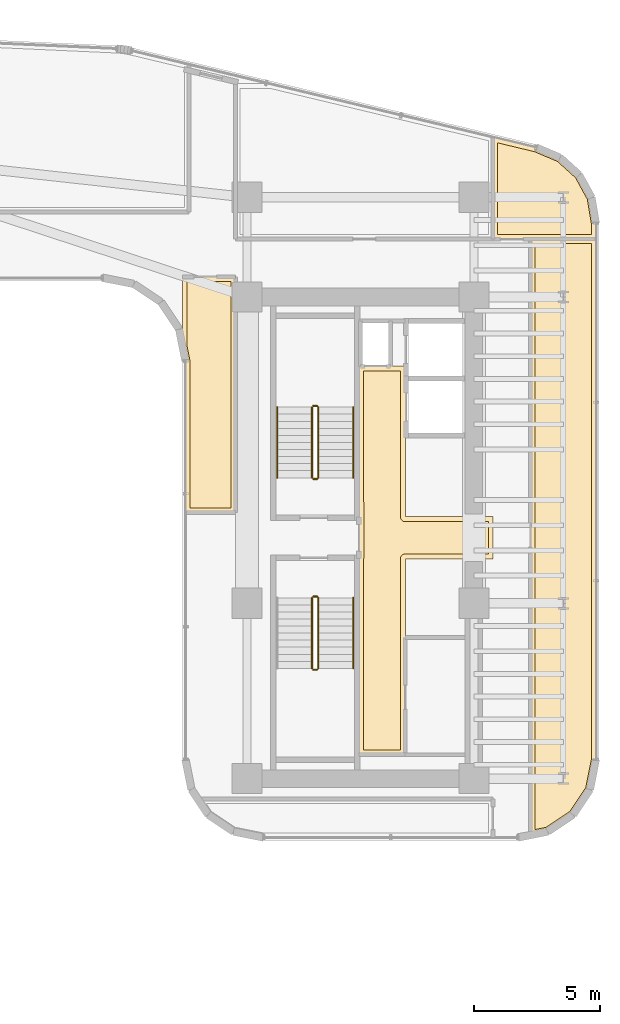
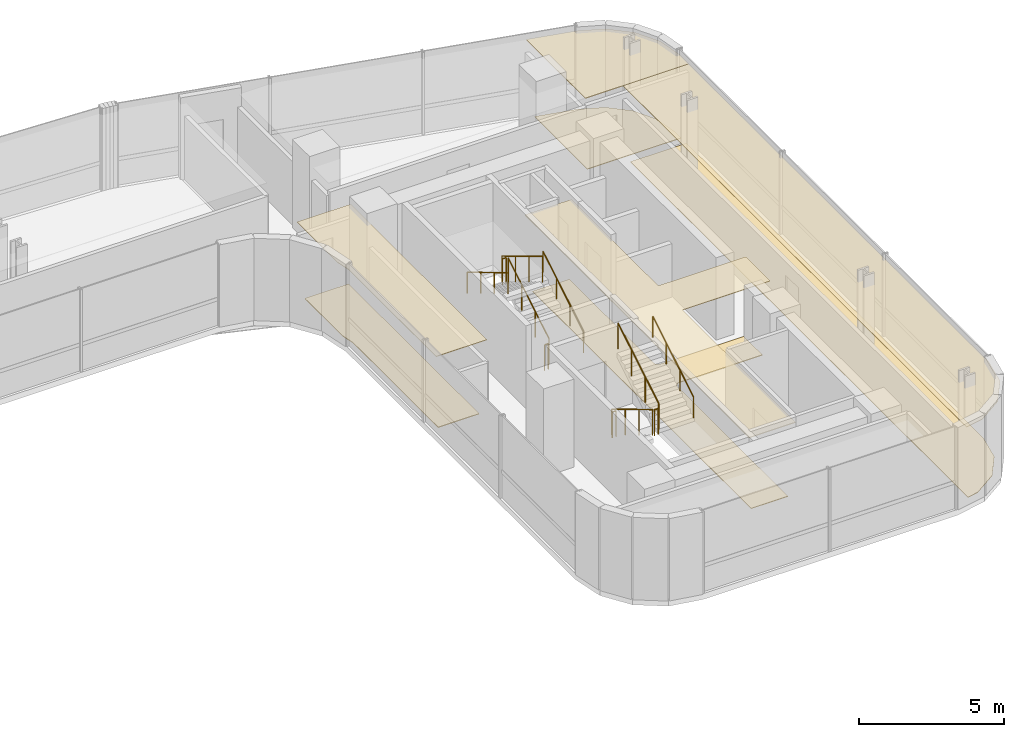
# One storey, part 33 of 34: 11 railings, 8 coverings.
"""IFC4 building model written with IfcOpenShell, lengths in metres."""

from ifc_helpers import new_model, si_unit, direction, frame, origin, origin_2d, place, context, subcontext, project, spatial, polyline, circle, outline, extrude, material, layer, layer_set, type_object, element, save


model = new_model("IFC4")

# Units and contexts
model_context = context("Model", 3, precision=1e-05, world=origin(), true_north=direction((0.0, 1.0)))
body_context = subcontext(model_context, "Body", "Model", "MODEL_VIEW")
ifc_project = project(units=[si_unit("LENGTHUNIT", "METRE"), si_unit("AREAUNIT", "SQUARE_METRE"), si_unit("VOLUMEUNIT", "CUBIC_METRE"), si_unit("PLANEANGLEUNIT", "RADIAN"), si_unit("MASSUNIT", "GRAM", prefix="KILO")], contexts=[model_context])

# Site, building, storey
site_placement = place(None, origin())
site = spatial("IfcSite", under=ifc_project, at=site_placement, CompositionType="ELEMENT")
building_placement = place(site_placement, origin())
building = spatial("IfcBuilding", under=site, at=building_placement, Name="Valdorenza Pilgrim Sanctuary Tower", CompositionType="ELEMENT")
storey_placement = place(building_placement, frame((0.0, 0.0, 120.5)))
storey = spatial("IfcBuildingStorey", under=building, at=storey_placement, Name="L30", CompositionType="ELEMENT", Elevation=120.5)

# Coverings
ifc_material_1 = material(Name="Micro-perforated acoustic mineral ceiling tile", Category="gypsum")
ifc_layer_1 = layer(ifc_material_1, 0.02490234375, Name="Micro-perforated acoustic mineral ceiling tile")
ifc_layer_set_1 = layer_set([ifc_layer_1], Name="Micro-perforated acoustic mineral ceiling tile")
covering_type_1 = type_object("IfcCoveringType", Name="COV-CLG-ACU", PredefinedType="CEILING", material=ifc_layer_set_1)
covering_1_placement = place(storey_placement, frame((0.0, 0.0, 3.159912109375)))
element("IfcCovering", 1, at=covering_1_placement, inside=storey, type_object=covering_type_1, Name="L30 Core B Passenger Lift Lobby Acoustic Ceiling", PredefinedType="CEILING", context=body_context, shape_type="SweptSolid", body=[
    extrude(outline(polyline([(20.287109375, -0.814697265625), (20.287109375, 0.814697265625), (20.28662109375, 0.815185546875), (20.2861328125, 0.81640625), (20.28564453125, 0.81787109375), (20.285400390625, 0.819091796875), (20.28515625, 0.820556640625), (20.284912109375, 0.822021484375), (20.284912109375, 6.800048828125), (20.28515625, 6.801513671875), (20.285400390625, 6.802978515625), (20.28564453125, 6.804443359375), (20.2861328125, 6.8056640625), (20.286865234375, 6.80712890625), (20.28759765625, 6.808349609375), (20.288330078125, 6.8095703125), (20.289306640625, 6.810546875), (20.29052734375, 6.8115234375), (20.291748046875, 6.8125), (20.29296875, 6.813232421875), (20.294189453125, 6.81396484375), (20.295654296875, 6.814453125), (20.297119140625, 6.814697265625), (20.298583984375, 6.81494140625), (20.300048828125, 6.81494140625), (20.347900390625, 6.81494140625), (20.349365234375, 6.81494140625), (20.350830078125, 6.814697265625), (20.352294921875, 6.814453125), (20.353515625, 6.81396484375), (20.35498046875, 6.813232421875), (20.35546875, 6.81298828125), (21.544677734375, 6.81298828125), (21.545166015625, 6.813232421875), (21.54638671875, 6.81396484375), (21.5478515625, 6.814453125), (21.54931640625, 6.814697265625), (21.550537109375, 6.81494140625), (21.552001953125, 6.81494140625), (22.1201171875, 6.81494140625), (22.12158203125, 6.81494140625), (22.122802734375, 6.814697265625), (22.12451171875, 6.814453125), (22.125732421875, 6.81396484375), (22.127197265625, 6.813232421875), (22.12841796875, 6.8125), (22.12939453125, 6.8115234375), (22.130615234375, 6.810546875), (22.131591796875, 6.8095703125), (22.132568359375, 6.808349609375), (22.13330078125, 6.80712890625), (22.1337890625, 6.8056640625), (22.134521484375, 6.804443359375), (22.134765625, 6.802978515625), (22.135009765625, 6.801513671875), (22.135009765625, 6.800048828125), (22.135009765625, 0.8349609375), (25.60009765625, 0.8349609375), (25.6015625, 0.8349609375), (25.602783203125, 0.834716796875), (25.6044921875, 0.83447265625), (25.605712890625, 0.833984375), (25.607177734375, 0.833251953125), (25.6083984375, 0.83251953125), (25.609619140625, 0.83154296875), (25.610595703125, 0.83056640625), (25.611572265625, 0.82958984375), (25.612548828125, 0.828369140625), (25.61328125, 0.8271484375), (25.614013671875, 0.82568359375), (25.614501953125, 0.824462890625), (25.61474609375, 0.822998046875), (25.614990234375, 0.821533203125), (25.614990234375, 0.820068359375), (25.614990234375, -0.820068359375), (25.614990234375, -0.821533203125), (25.61474609375, -0.822998046875), (25.614501953125, -0.824462890625), (25.614013671875, -0.82568359375), (25.61328125, -0.8271484375), (25.612548828125, -0.828369140625), (25.611572265625, -0.82958984375), (25.610595703125, -0.83056640625), (25.609619140625, -0.83154296875), (25.6083984375, -0.83251953125), (25.607177734375, -0.833251953125), (25.605712890625, -0.833984375), (25.6044921875, -0.83447265625), (25.602783203125, -0.834716796875), (25.6015625, -0.8349609375), (25.60009765625, -0.8349609375), (22.135009765625, -0.8349609375), (22.135009765625, -8.60009765625), (22.135009765625, -8.6015625), (22.134765625, -8.602783203125), (22.134521484375, -8.6044921875), (22.1337890625, -8.605712890625), (22.13330078125, -8.607177734375), (22.132568359375, -8.6083984375), (22.131591796875, -8.609619140625), (22.130615234375, -8.610595703125), (22.12939453125, -8.611572265625), (22.12841796875, -8.612548828125), (22.127197265625, -8.61328125), (22.125732421875, -8.614013671875), (22.12451171875, -8.614501953125), (22.122802734375, -8.61474609375), (22.12158203125, -8.614990234375), (22.1201171875, -8.614990234375), (20.300048828125, -8.614990234375), (20.298583984375, -8.614990234375), (20.297119140625, -8.61474609375), (20.295654296875, -8.614501953125), (20.294189453125, -8.614013671875), (20.29296875, -8.61328125), (20.291748046875, -8.612548828125), (20.29052734375, -8.611572265625), (20.289306640625, -8.610595703125), (20.288330078125, -8.609619140625), (20.28759765625, -8.6083984375), (20.286865234375, -8.607177734375), (20.2861328125, -8.605712890625), (20.28564453125, -8.6044921875), (20.285400390625, -8.602783203125), (20.28515625, -8.6015625), (20.284912109375, -8.60009765625), (20.284912109375, -0.822021484375), (20.28515625, -0.820556640625), (20.285400390625, -0.819091796875), (20.28564453125, -0.81787109375), (20.2861328125, -0.81640625), (20.28662109375, -0.815185546875), (20.287109375, -0.814697265625)])), origin(), (0.0, 0.0, 1.0), 0.025146484375),
])
covering_2_placement = place(storey_placement, frame((0.0, 0.0, 3.159912109375)))
element("IfcCovering", 2, at=covering_2_placement, inside=storey, type_object=covering_type_1, Name="L30 East Wing Reference Library L30-BNE Acoustic Ceiling", PredefinedType="CEILING", context=body_context, shape_type="SweptSolid", body=[
    extrude(outline(polyline([(27.313720703125, 15.49755859375), (27.31494140625, 15.4970703125), (27.316162109375, 15.49658203125), (28.269775390625, 15.09130859375), (28.271240234375, 15.090576171875), (28.272705078125, 15.089599609375), (28.27392578125, 15.088623046875), (29.034912109375, 14.3994140625), (29.035888671875, 14.398193359375), (29.037109375, 14.39697265625), (29.037841796875, 14.3955078125), (29.531005859375, 13.4951171875), (29.53173828125, 13.49365234375), (29.5322265625, 13.4921875), (29.53271484375, 13.490478515625), (29.704833984375, 12.468994140625), (29.704833984375, 12.467529296875), (29.705078125, 12.46630859375), (29.705078125, 11.85009765625), (29.704833984375, 11.848388671875), (29.70458984375, 11.84716796875), (29.704345703125, 11.845703125), (29.703857421875, 11.84423828125), (29.703125, 11.843017578125), (29.702392578125, 11.841796875), (29.70166015625, 11.840576171875), (29.70068359375, 11.83935546875), (29.699462890625, 11.83837890625), (29.6982421875, 11.83740234375), (29.697021484375, 11.8369140625), (29.69580078125, 11.836181640625), (29.6943359375, 11.835693359375), (29.69287109375, 11.835205078125), (29.69140625, 11.835205078125), (29.68994140625, 11.8349609375), (25.60205078125, 11.8349609375), (25.6005859375, 11.835205078125), (25.59912109375, 11.835205078125), (25.59765625, 11.835693359375), (25.59619140625, 11.836181640625), (25.594970703125, 11.8369140625), (25.59375, 11.83740234375), (25.592529296875, 11.83837890625), (25.59130859375, 11.83935546875), (25.59033203125, 11.840576171875), (25.589599609375, 11.841796875), (25.5888671875, 11.843017578125), (25.588134765625, 11.84423828125), (25.587646484375, 11.845703125), (25.58740234375, 11.84716796875), (25.587158203125, 11.848388671875), (25.5869140625, 11.85009765625), (25.5869140625, 15.891845703125), (25.587158203125, 15.893310546875), (25.58740234375, 15.894775390625), (25.587646484375, 15.896240234375), (25.588134765625, 15.897705078125), (25.5888671875, 15.89892578125), (25.589599609375, 15.900390625), (25.590576171875, 15.901611328125), (25.591552734375, 15.902587890625), (25.5927734375, 15.903564453125), (25.593994140625, 15.904296875), (25.59521484375, 15.9052734375), (25.5966796875, 15.90576171875), (25.597900390625, 15.90625), (25.599609375, 15.906494140625), (25.60107421875, 15.90673828125), (25.6025390625, 15.90673828125), (25.60400390625, 15.906494140625), (25.60546875, 15.906494140625), (27.313720703125, 15.49755859375)])), origin(), (0.0, 0.0, 1.0), 0.025146484375),
])
covering_3_placement = place(storey_placement, frame((0.0, 0.0, 3.159912109375)))
element("IfcCovering", 3, at=covering_3_placement, inside=storey, type_object=covering_type_1, Name="L30 Open Plan Scholar Office L30-EB1 Acoustic Ceiling", PredefinedType="CEILING", context=body_context, shape_type="SweptSolid", body=[
    extrude(outline(polyline([(29.705078125, -8.789306640625), (29.704833984375, -8.79052734375), (29.70458984375, -8.7919921875), (29.467529296875, -9.984619140625), (29.467041015625, -9.986083984375), (29.466552734375, -9.9873046875), (29.466064453125, -9.98876953125), (29.46533203125, -9.989990234375), (28.7958984375, -10.99169921875), (28.794921875, -10.992919921875), (28.7939453125, -10.993896484375), (28.79296875, -10.9951171875), (28.791748046875, -10.995849609375), (27.7900390625, -11.665283203125), (27.788818359375, -11.666015625), (27.787353515625, -11.66650390625), (27.785888671875, -11.6669921875), (27.78466796875, -11.66748046875), (27.102783203125, -11.802978515625), (27.1015625, -11.80322265625), (27.10009765625, -11.803466796875), (27.098388671875, -11.80322265625), (27.09716796875, -11.802978515625), (27.095703125, -11.802734375), (27.09423828125, -11.80224609375), (27.093017578125, -11.801513671875), (27.091796875, -11.80078125), (27.090576171875, -11.800048828125), (27.08935546875, -11.799072265625), (27.08837890625, -11.7978515625), (27.08740234375, -11.796630859375), (27.0869140625, -11.79541015625), (27.086181640625, -11.794189453125), (27.085693359375, -11.792724609375), (27.085205078125, -11.791259765625), (27.085205078125, -11.789794921875), (27.0849609375, -11.788330078125), (27.0849609375, 11.847900390625), (27.085205078125, 11.849609375), (27.085205078125, 11.850830078125), (27.085693359375, 11.852294921875), (27.086181640625, 11.853759765625), (27.0869140625, 11.85498046875), (27.08740234375, 11.856201171875), (27.08837890625, 11.857421875), (27.08935546875, 11.858642578125), (27.090576171875, 11.859619140625), (27.091796875, 11.860595703125), (27.093017578125, 11.861083984375), (27.09423828125, 11.86181640625), (27.095703125, 11.8623046875), (27.09716796875, 11.86279296875), (27.098388671875, 11.86279296875), (27.10009765625, 11.863037109375), (29.68994140625, 11.863037109375), (29.69140625, 11.86279296875), (29.69287109375, 11.86279296875), (29.6943359375, 11.8623046875), (29.69580078125, 11.86181640625), (29.697021484375, 11.861083984375), (29.6982421875, 11.860595703125), (29.699462890625, 11.859619140625), (29.70068359375, 11.858642578125), (29.70166015625, 11.857421875), (29.702392578125, 11.856201171875), (29.703125, 11.85498046875), (29.703857421875, 11.853759765625), (29.704345703125, 11.852294921875), (29.70458984375, 11.850830078125), (29.704833984375, 11.849609375), (29.705078125, 11.847900390625), (29.705078125, -8.789306640625)])), origin(), (0.0, 0.0, 1.0), 0.025146484375),
])
covering_4_placement = place(storey_placement, frame((0.0, 0.0, 3.159912109375)))
element("IfcCovering", 4, at=covering_4_placement, inside=storey, type_object=covering_type_1, Name="L30 Courtyard Overlook Salon L30 Acoustic Ceiling", PredefinedType="CEILING", context=body_context, shape_type="SweptSolid", body=[
    extrude(outline(polyline([(15.39990234375, 10.364990234375), (15.401611328125, 10.364990234375), (15.40283203125, 10.36474609375), (15.404296875, 10.364501953125), (15.40576171875, 10.364013671875), (15.406982421875, 10.36328125), (15.408203125, 10.362548828125), (15.409423828125, 10.361572265625), (15.41064453125, 10.360595703125), (15.41162109375, 10.359619140625), (15.41259765625, 10.3583984375), (15.4130859375, 10.357177734375), (15.413818359375, 10.355712890625), (15.414306640625, 10.3544921875), (15.414794921875, 10.352783203125), (15.414794921875, 10.3515625), (15.4150390625, 10.35009765625), (15.4150390625, 1.0), (15.414794921875, 0.99853515625), (15.414794921875, 0.9970703125), (15.414306640625, 0.99560546875), (15.413818359375, 0.994384765625), (15.4130859375, 0.992919921875), (15.41259765625, 0.99169921875), (15.41162109375, 0.990478515625), (15.41064453125, 0.989501953125), (15.409423828125, 0.98828125), (15.408203125, 0.987548828125), (15.406982421875, 0.98681640625), (15.40576171875, 0.986083984375), (15.404296875, 0.985595703125), (15.40283203125, 0.9853515625), (15.401611328125, 0.985107421875), (15.39990234375, 0.985107421875), (13.409912109375, 0.985107421875), (13.408447265625, 0.985107421875), (13.406982421875, 0.9853515625), (13.405517578125, 0.985595703125), (13.404296875, 0.986083984375), (13.40283203125, 0.98681640625), (13.401611328125, 0.987548828125), (13.400390625, 0.98828125), (13.3994140625, 0.989501953125), (13.3984375, 0.990478515625), (13.3974609375, 0.99169921875), (13.396728515625, 0.992919921875), (13.39599609375, 0.994384765625), (13.3955078125, 0.99560546875), (13.395263671875, 0.9970703125), (13.39501953125, 0.99853515625), (13.39501953125, 1.0), (13.39501953125, 6.99951171875), (13.39453125, 7.00927734375), (13.39306640625, 7.018798828125), (13.285400390625, 7.560791015625), (13.28515625, 7.562255859375), (13.284912109375, 7.563720703125), (13.284912109375, 10.35009765625), (13.28515625, 10.3515625), (13.285400390625, 10.352783203125), (13.28564453125, 10.3544921875), (13.2861328125, 10.355712890625), (13.286865234375, 10.357177734375), (13.28759765625, 10.3583984375), (13.288330078125, 10.359619140625), (13.289306640625, 10.360595703125), (13.29052734375, 10.361572265625), (13.291748046875, 10.362548828125), (13.29296875, 10.36328125), (13.294189453125, 10.364013671875), (13.295654296875, 10.364501953125), (13.297119140625, 10.36474609375), (13.298583984375, 10.364990234375), (13.300048828125, 10.364990234375), (15.39990234375, 10.364990234375)])), origin(), (0.0, 0.0, 1.0), 0.025146484375),
])
ifc_material_2 = material(Name="Honed travertine stone flooring", Category="masonry")
ifc_layer_2 = layer(ifc_material_2, 0.030029296875, Name="Honed travertine stone flooring")
ifc_layer_set_2 = layer_set([ifc_layer_2], Name="Honed travertine stone flooring")
covering_type_2 = type_object("IfcCoveringType", Name="COV-FLR-TRV", PredefinedType="FLOORING", material=ifc_layer_set_2)
covering_5_placement = place(storey_placement, origin())
element("IfcCovering", 5, at=covering_5_placement, inside=storey, type_object=covering_type_2, Name="L30 Core B Passenger Lift Lobby Flooring", PredefinedType="FLOORING", context=body_context, shape_type="SweptSolid", body=[
    extrude(outline(polyline([(20.47998046875, 6.617919921875), (21.550048828125, 6.617919921875), (21.550537109375, 6.617919921875), (21.93994140625, 6.619384765625), (21.93994140625, 0.820068359375), (21.94091796875, 0.802490234375), (21.943603515625, 0.784912109375), (21.94775390625, 0.767578125), (21.95361328125, 0.751220703125), (21.961181640625, 0.735107421875), (21.97021484375, 0.719970703125), (21.98095703125, 0.705810546875), (21.99267578125, 0.692626953125), (22.005859375, 0.680908203125), (22.02001953125, 0.67041015625), (22.03515625, 0.661376953125), (22.051025390625, 0.65380859375), (22.067626953125, 0.647705078125), (22.0849609375, 0.6435546875), (22.102294921875, 0.640869140625), (22.1201171875, 0.639892578125), (25.419921875, 0.639892578125), (25.419921875, -0.639892578125), (22.1201171875, -0.639892578125), (22.102294921875, -0.640869140625), (22.0849609375, -0.6435546875), (22.067626953125, -0.647705078125), (22.051025390625, -0.65380859375), (22.03515625, -0.661376953125), (22.02001953125, -0.67041015625), (22.005859375, -0.680908203125), (21.99267578125, -0.692626953125), (21.98095703125, -0.705810546875), (21.97021484375, -0.719970703125), (21.961181640625, -0.735107421875), (21.95361328125, -0.751220703125), (21.94775390625, -0.767578125), (21.943603515625, -0.784912109375), (21.94091796875, -0.802490234375), (21.93994140625, -0.820068359375), (21.93994140625, -8.419921875), (20.47998046875, -8.419921875), (20.47998046875, -0.846923828125), (20.47998046875, -0.8466796875), (20.47998046875, -0.8466796875), (20.481689453125, -0.8291015625), (20.481689453125, -0.828857421875), (20.48193359375, -0.820068359375), (20.48193359375, 0.820068359375), (20.47998046875, 6.617919921875)])), origin(), (0.0, 0.0, 1.0), 0.02490234375),
])
covering_6_placement = place(storey_placement, origin())
element("IfcCovering", 6, at=covering_6_placement, inside=storey, type_object=covering_type_2, Name="L30 East Wing Reference Library L30-BNE Flooring", PredefinedType="FLOORING", context=body_context, shape_type="SweptSolid", body=[
    extrude(outline(polyline([(27.25390625, 15.311279296875), (28.16552734375, 14.923583984375), (28.88134765625, 14.275390625), (29.345458984375, 13.427978515625), (29.510009765625, 12.451416015625), (29.510009765625, 12.030029296875), (25.781982421875, 12.030029296875), (25.781982421875, 15.66357421875), (27.25390625, 15.311279296875)])), origin(), (0.0, 0.0, 1.0), 0.02490234375),
])
covering_7_placement = place(storey_placement, origin())
element("IfcCovering", 7, at=covering_7_placement, inside=storey, type_object=covering_type_2, Name="L30 Open Plan Scholar Office L30-EB1 Flooring", PredefinedType="FLOORING", context=body_context, shape_type="SweptSolid", body=[
    extrude(outline(polyline([(29.510009765625, -8.771484375), (29.283203125, -9.911376953125), (28.653564453125, -10.853515625), (27.71142578125, -11.483154296875), (27.280029296875, -11.569091796875), (27.280029296875, 11.66796875), (29.510009765625, 11.66796875), (29.510009765625, -8.771484375)])), origin(), (0.0, 0.0, 1.0), 0.02490234375),
])
covering_8_placement = place(storey_placement, origin())
element("IfcCovering", 8, at=covering_8_placement, inside=storey, type_object=covering_type_2, Name="L30 Courtyard Overlook Salon L30 Flooring", PredefinedType="FLOORING", context=body_context, shape_type="SweptSolid", body=[
    extrude(outline(polyline([(15.219970703125, 10.169921875), (15.219970703125, 1.179931640625), (13.590087890625, 1.179931640625), (13.590087890625, 7.0), (13.58984375, 7.0087890625), (13.58935546875, 7.01953125), (13.58740234375, 7.037109375), (13.5859375, 7.0478515625), (13.58447265625, 7.056640625), (13.47998046875, 7.58154296875), (13.47998046875, 10.169921875), (15.219970703125, 10.169921875)])), origin(), (0.0, 0.0, 1.0), 0.02490234375),
])

# Railings
ifc_material_3 = material(Name="Stainless steel Grade 316", Category="steel")
railing_type_1 = type_object("IfcRailingType", Name="RLG-GRD-1120", PredefinedType="GUARDRAIL", material=ifc_material_3)
railing_1_placement = place(storey_placement, frame((18.679931640625, 2.3798828125, 0.168212890625)))
element("IfcRailing", 9, at=railing_1_placement, inside=storey, type_object=railing_type_1, Name="L30 ST-B1 stair guard 1", PredefinedType="GUARDRAIL", context=body_context, shape_type="SweptSolid", body=[
    extrude(circle(Radius=0.02392578125, at=origin_2d()), frame((0.0, 0.0, 1.076171875), z_axis=(0.0, 0.857242210791, 0.514913383045), x_axis=(-1.0, 0.0, 0.0)), (0.0, 0.0, 1.0), 3.266357421875),
    extrude(circle(Radius=0.02099609375, at=origin_2d()), origin(), (0.0, 0.0, 1.0), 1.052001953125),
    extrude(circle(Radius=0.02099609375, at=origin_2d()), frame((0.0, 0.933349609375, 0.560546875)), (0.0, 0.0, 1.0), 1.052001953125),
    extrude(circle(Radius=0.02099609375, at=origin_2d()), frame((0.0, 1.86669921875, 1.121337890625)), (0.0, 0.0, 1.0), 1.052001953125),
    extrude(circle(Radius=0.02099609375, at=origin_2d()), frame((0.0, 2.800048828125, 1.681884765625)), (0.0, 0.0, 1.0), 1.052001953125),
])
railing_2_placement = place(storey_placement, frame((18.6298828125, 5.22998046875, 1.85009765625)))
element("IfcRailing", 10, at=railing_2_placement, inside=storey, type_object=railing_type_1, Name="L30 ST-B1 stair guard 2", PredefinedType="GUARDRAIL", context=body_context, shape_type="SweptSolid", body=[
    extrude(circle(Radius=0.02392578125, at=origin_2d()), frame((0.0, 0.0, 1.076171875), z_axis=(-1.0, 0.0, 0.0), x_axis=(0.0, -1.0, 0.0)), (0.0, 0.0, 1.0), 0.14990234375),
    extrude(circle(Radius=0.02099609375, at=origin_2d()), origin(), (0.0, 0.0, 1.0), 1.052001953125),
    extrude(circle(Radius=0.02099609375, at=origin_2d()), frame((-0.14990234375, 0.0, 0.0)), (0.0, 0.0, 1.0), 1.052001953125),
])
railing_3_placement = place(storey_placement, frame((18.429931640625, 5.179931640625, 2.01806640625)))
element("IfcRailing", 11, at=railing_3_placement, inside=storey, type_object=railing_type_1, Name="L30 ST-B1 stair guard 3", PredefinedType="GUARDRAIL", context=body_context, shape_type="SweptSolid", body=[
    extrude(circle(Radius=0.02392578125, at=origin_2d()), frame((0.0, 0.0, 1.076171875), z_axis=(0.0, -0.857242210791, 0.514913383045), x_axis=(1.0, 0.0, 0.0)), (0.0, 0.0, 1.0), 3.266357421875),
    extrude(circle(Radius=0.02099609375, at=origin_2d()), origin(), (0.0, 0.0, 1.0), 1.052001953125),
    extrude(circle(Radius=0.02099609375, at=origin_2d()), frame((0.0, -0.933349609375, 0.560546875)), (0.0, 0.0, 1.0), 1.052001953125),
    extrude(circle(Radius=0.02099609375, at=origin_2d()), frame((0.0, -1.86669921875, 1.121337890625)), (0.0, 0.0, 1.0), 1.052001953125),
    extrude(circle(Radius=0.02099609375, at=origin_2d()), frame((0.0, -2.800048828125, 1.681884765625)), (0.0, 0.0, 1.0), 1.052001953125),
])
railing_4_placement = place(storey_placement, frame((18.6298828125, 2.330078125, 0.0)))
element("IfcRailing", 12, at=railing_4_placement, inside=storey, type_object=railing_type_1, Name="L30 ST-B1 stair guard 4", PredefinedType="GUARDRAIL", context=body_context, shape_type="SweptSolid", body=[
    extrude(circle(Radius=0.02392578125, at=origin_2d()), frame((0.0, 0.0, 1.076171875), z_axis=(-1.0, 0.0, 0.0), x_axis=(0.0, -1.0, 0.0)), (0.0, 0.0, 1.0), 0.14990234375),
    extrude(circle(Radius=0.02099609375, at=origin_2d()), origin(), (0.0, 0.0, 1.0), 1.052001953125),
    extrude(circle(Radius=0.02099609375, at=origin_2d()), frame((-0.14990234375, 0.0, 0.0)), (0.0, 0.0, 1.0), 1.052001953125),
])
railing_5_placement = place(storey_placement, frame((18.429931640625, -2.3798828125, 0.168212890625)))
element("IfcRailing", 13, at=railing_5_placement, inside=storey, type_object=railing_type_1, Name="L30 ST-B2 stair guard 1", PredefinedType="GUARDRAIL", context=body_context, shape_type="SweptSolid", body=[
    extrude(circle(Radius=0.02392578125, at=origin_2d()), frame((0.0, 0.0, 1.076171875), z_axis=(0.0, -0.857242210791, 0.514913383045), x_axis=(1.0, 0.0, 0.0)), (0.0, 0.0, 1.0), 3.266357421875),
    extrude(circle(Radius=0.02099609375, at=origin_2d()), origin(), (0.0, 0.0, 1.0), 1.052001953125),
    extrude(circle(Radius=0.02099609375, at=origin_2d()), frame((0.0, -0.933349609375, 0.560546875)), (0.0, 0.0, 1.0), 1.052001953125),
    extrude(circle(Radius=0.02099609375, at=origin_2d()), frame((0.0, -1.86669921875, 1.121337890625)), (0.0, 0.0, 1.0), 1.052001953125),
    extrude(circle(Radius=0.02099609375, at=origin_2d()), frame((0.0, -2.800048828125, 1.681884765625)), (0.0, 0.0, 1.0), 1.052001953125),
])
railing_6_placement = place(storey_placement, frame((18.47998046875, -5.22998046875, 1.85009765625)))
element("IfcRailing", 14, at=railing_6_placement, inside=storey, type_object=railing_type_1, Name="L30 ST-B2 stair guard 2", PredefinedType="GUARDRAIL", context=body_context, shape_type="SweptSolid", body=[
    extrude(circle(Radius=0.02392578125, at=origin_2d()), frame((0.0, 0.0, 1.076171875), z_axis=(1.0, 0.0, 0.0), x_axis=(0.0, 1.0, 0.0)), (0.0, 0.0, 1.0), 0.14990234375),
    extrude(circle(Radius=0.02099609375, at=origin_2d()), origin(), (0.0, 0.0, 1.0), 1.052001953125),
    extrude(circle(Radius=0.02099609375, at=origin_2d()), frame((0.14990234375, 0.0, 0.0)), (0.0, 0.0, 1.0), 1.052001953125),
])
railing_7_placement = place(storey_placement, frame((18.679931640625, -5.179931640625, 2.01806640625)))
element("IfcRailing", 15, at=railing_7_placement, inside=storey, type_object=railing_type_1, Name="L30 ST-B2 stair guard 3", PredefinedType="GUARDRAIL", context=body_context, shape_type="SweptSolid", body=[
    extrude(circle(Radius=0.02392578125, at=origin_2d()), frame((0.0, 0.0, 1.076171875), z_axis=(0.0, 0.857242210791, 0.514913383045), x_axis=(-1.0, 0.0, 0.0)), (0.0, 0.0, 1.0), 3.266357421875),
    extrude(circle(Radius=0.02099609375, at=origin_2d()), origin(), (0.0, 0.0, 1.0), 1.052001953125),
    extrude(circle(Radius=0.02099609375, at=origin_2d()), frame((0.0, 0.933349609375, 0.560546875)), (0.0, 0.0, 1.0), 1.052001953125),
    extrude(circle(Radius=0.02099609375, at=origin_2d()), frame((0.0, 1.86669921875, 1.121337890625)), (0.0, 0.0, 1.0), 1.052001953125),
    extrude(circle(Radius=0.02099609375, at=origin_2d()), frame((0.0, 2.800048828125, 1.681884765625)), (0.0, 0.0, 1.0), 1.052001953125),
])
railing_8_placement = place(storey_placement, frame((18.47998046875, -2.330078125, 0.0)))
element("IfcRailing", 16, at=railing_8_placement, inside=storey, type_object=railing_type_1, Name="L30 ST-B2 stair guard 4", PredefinedType="GUARDRAIL", context=body_context, shape_type="SweptSolid", body=[
    extrude(circle(Radius=0.02392578125, at=origin_2d()), frame((0.0, 0.0, 1.076171875), z_axis=(1.0, 0.0, 0.0), x_axis=(0.0, 1.0, 0.0)), (0.0, 0.0, 1.0), 0.14990234375),
    extrude(circle(Radius=0.02099609375, at=origin_2d()), origin(), (0.0, 0.0, 1.0), 1.052001953125),
    extrude(circle(Radius=0.02099609375, at=origin_2d()), frame((0.14990234375, 0.0, 0.0)), (0.0, 0.0, 1.0), 1.052001953125),
])
ifc_material_4 = material(Name="Brushed stainless steel Grade 316", Category="steel")
railing_type_2 = type_object("IfcRailingType", Name="RLG-HND-920", PredefinedType="HANDRAIL", material=ifc_material_4)
railing_9_placement = place(storey_placement, frame((20.06005859375, 2.3798828125, 0.168212890625)))
element("IfcRailing", 17, at=railing_9_placement, inside=storey, type_object=railing_type_2, Name="L30 ST-B1 stair handrail 1", PredefinedType="HANDRAIL", context=body_context, shape_type="SweptSolid", body=[
    extrude(circle(Radius=0.02392578125, at=origin_2d()), frame((0.0, 0.0, 0.8759765625), z_axis=(0.0, 0.857242210791, 0.514913383045), x_axis=(-1.0, 0.0, 0.0)), (0.0, 0.0, 1.0), 3.266357421875),
    extrude(circle(Radius=0.02099609375, at=origin_2d()), origin(), (0.0, 0.0, 1.0), 0.851806640625),
    extrude(circle(Radius=0.02099609375, at=origin_2d()), frame((0.0, 0.933349609375, 0.560546875)), (0.0, 0.0, 1.0), 0.851806640625),
    extrude(circle(Radius=0.02099609375, at=origin_2d()), frame((0.0, 1.86669921875, 1.121337890625)), (0.0, 0.0, 1.0), 0.851806640625),
    extrude(circle(Radius=0.02099609375, at=origin_2d()), frame((0.0, 2.800048828125, 1.681884765625)), (0.0, 0.0, 1.0), 0.851806640625),
])
railing_10_placement = place(storey_placement, frame((17.050048828125, 5.179931640625, 2.01806640625)))
element("IfcRailing", 18, at=railing_10_placement, inside=storey, type_object=railing_type_2, Name="L30 ST-B1 stair handrail 2", PredefinedType="HANDRAIL", context=body_context, shape_type="SweptSolid", body=[
    extrude(circle(Radius=0.02392578125, at=origin_2d()), frame((0.0, 0.0, 0.8759765625), z_axis=(0.0, -0.857242210791, 0.514913383045), x_axis=(1.0, 0.0, 0.0)), (0.0, 0.0, 1.0), 3.266357421875),
    extrude(circle(Radius=0.02099609375, at=origin_2d()), origin(), (0.0, 0.0, 1.0), 0.851806640625),
    extrude(circle(Radius=0.02099609375, at=origin_2d()), frame((0.0, -0.933349609375, 0.560546875)), (0.0, 0.0, 1.0), 0.851806640625),
    extrude(circle(Radius=0.02099609375, at=origin_2d()), frame((0.0, -1.86669921875, 1.121337890625)), (0.0, 0.0, 1.0), 0.851806640625),
    extrude(circle(Radius=0.02099609375, at=origin_2d()), frame((0.0, -2.800048828125, 1.681884765625)), (0.0, 0.0, 1.0), 0.851806640625),
])
railing_11_placement = place(storey_placement, frame((20.06005859375, -5.179931640625, 2.01806640625)))
element("IfcRailing", 19, at=railing_11_placement, inside=storey, type_object=railing_type_2, Name="L30 ST-B2 stair handrail 2", PredefinedType="HANDRAIL", context=body_context, shape_type="SweptSolid", body=[
    extrude(circle(Radius=0.02392578125, at=origin_2d()), frame((0.0, 0.0, 0.8759765625), z_axis=(0.0, 0.857242210791, 0.514913383045), x_axis=(-1.0, 0.0, 0.0)), (0.0, 0.0, 1.0), 3.266357421875),
    extrude(circle(Radius=0.02099609375, at=origin_2d()), origin(), (0.0, 0.0, 1.0), 0.851806640625),
    extrude(circle(Radius=0.02099609375, at=origin_2d()), frame((0.0, 0.933349609375, 0.560546875)), (0.0, 0.0, 1.0), 0.851806640625),
    extrude(circle(Radius=0.02099609375, at=origin_2d()), frame((0.0, 1.86669921875, 1.121337890625)), (0.0, 0.0, 1.0), 0.851806640625),
    extrude(circle(Radius=0.02099609375, at=origin_2d()), frame((0.0, 2.800048828125, 1.681884765625)), (0.0, 0.0, 1.0), 0.851806640625),
])

save(model, "model.ifc")
